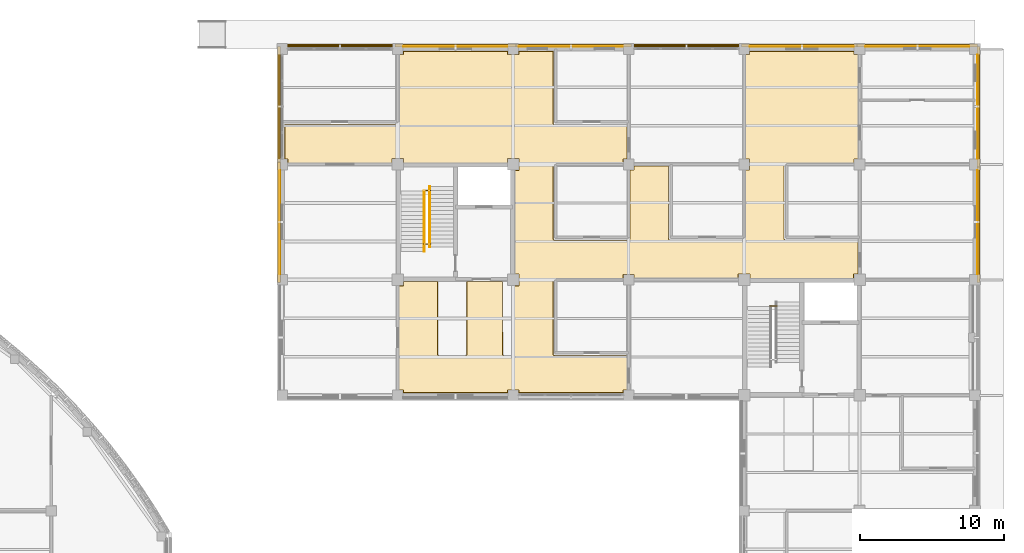
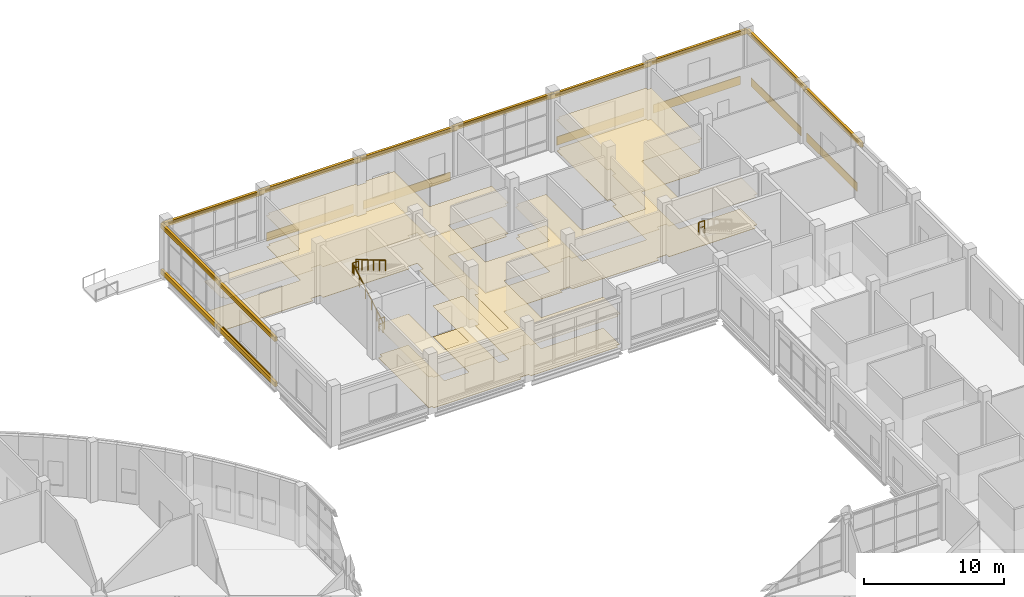
# One storey, part 105 of 105: 21 coverings, 10 shading devices, 5 railings.
"""IFC4 building model written with IfcOpenShell, lengths in metres."""

from ifc_helpers import new_model, si_unit, derived_unit, direction, frame, origin, origin_2d, place, context, subcontext, project, spatial, polyline, rectangle, circle, outline, extrude, material, layer, layer_set, material_profile, profile_set, type_object, element, save


model = new_model("IFC4")

# Units and contexts
model_context = context("Model", 3, precision=1e-05, world=origin(), true_north=direction((0.0, 1.0)))
body_context = subcontext(model_context, "Body", "Model", "MODEL_VIEW")
ifc_project = project(units=[si_unit("LENGTHUNIT", "METRE"), si_unit("AREAUNIT", "SQUARE_METRE"), si_unit("VOLUMEUNIT", "CUBIC_METRE"), si_unit("PLANEANGLEUNIT", "RADIAN"), si_unit("MASSUNIT", "GRAM", prefix="KILO"), derived_unit("THERMALTRANSMITTANCEUNIT", [(si_unit("MASSUNIT", "GRAM", prefix="KILO"), 1), (si_unit("TIMEUNIT", "SECOND"), -3), (si_unit("THERMODYNAMICTEMPERATUREUNIT", "KELVIN"), -1)])], contexts=[model_context])

# Site, building, storey
site_placement = place(None, origin())
site = spatial("IfcSite", under=ifc_project, at=site_placement, CompositionType="ELEMENT")
building_placement = place(site_placement, origin())
building = spatial("IfcBuilding", under=site, at=building_placement, Name="Veyamyaing Civic Hall", CompositionType="ELEMENT")
storey_placement = place(building_placement, origin())
storey = spatial("IfcBuildingStorey", under=building, at=storey_placement, Name="L00", CompositionType="ELEMENT", Elevation=0.0)

# Coverings
ifc_material_1 = material(Name="Buff sandstone ashlar cladding", Category="masonry")
ifc_layer_1 = layer(ifc_material_1, 0.050048828125, Name="Buff sandstone ashlar cladding")
ifc_layer_set_1 = layer_set([ifc_layer_1], Name="Buff sandstone ashlar cladding")
covering_type_1 = type_object("IfcCoveringType", Name="CL-01", PredefinedType="CLADDING", material=ifc_layer_set_1)
for number, where, z_axis, x_axis, name in (
    (1, (127.839111328125, 100.0, 0.044921875), (0.0, 0.0, 1.0), (0.0, 1.0, 0.0), "Facade spandrel cladding CL-01 L00 W 17.13"),
    (2, (140.0, 112.160888671875, 0.044921875), (0.0, 0.0, 1.0), (1.0, 0.0, 0.0), "Facade spandrel cladding CL-01 L00 N 18.14"),
    (3, (148.0, 112.160888671875, 0.044921875), (0.0, 0.0, 1.0), (1.0, 0.0, 0.0), "Facade spandrel cladding CL-01 L00 N 19.14"),
    (4, (164.0, 112.160888671875, 0.044921875), (0.0, 0.0, 1.0), (1.0, 0.0, 0.0), "Facade spandrel cladding CL-01 L00 N 21.14"),
    (5, (176.160888671875, 100.0, 0.044921875), (0.0, 0.0, 1.0), (0.0, 1.0, 0.0), "Facade spandrel cladding CL-01 L00 E 22.13"),
    (6, (172.0, 112.160888671875, 0.044921875), (0.0, 0.0, 1.0), (1.0, 0.0, 0.0), "Facade spandrel cladding CL-01 L00 N 22.14"),
    (7, (176.160888671875, 108.0, 0.044921875), (0.0, 0.0, 1.0), (0.0, 1.0, 0.0), "Facade spandrel cladding CL-01 L00 E 22.14"),
):
    element("IfcCovering", number, at=place(storey_placement, frame(where, z_axis=z_axis, x_axis=x_axis)), inside=storey, type_object=covering_type_1, Name=name, PredefinedType="CLADDING", context=body_context, shape_type="SweptSolid", body=[
        extrude(rectangle(XDim=7.199951171875, YDim=0.050048828125, at=origin_2d()), origin(), (0.0, 0.0, 1.0), 0.75),
    ])
ifc_material_2 = material(Name="White powder-coated aluminium 6063-T6", Category="aluminium")
ifc_layer_2 = layer(ifc_material_2, 0.2099609375, Name="White powder-coated aluminium 6063-T6")
ifc_layer_set_2 = layer_set([ifc_layer_2], Name="White powder-coated aluminium 6063-T6")
covering_type_2 = type_object("IfcCoveringType", Name="CL-03", PredefinedType="CLADDING", material=ifc_layer_set_2)
for number, where, z_axis, x_axis, name in (
    (8, (127.760009765625, 100.0, 4.22998046875), (0.0, 0.0, 1.0), (0.0, 1.0, 0.0), "Continuous white head fascia ribbon CL-03 L00 W 17.13"),
    (9, (127.760009765625, 100.0, 0.280029296875), (0.0, 0.0, 1.0), (0.0, 1.0, 0.0), "Continuous white sill fascia ribbon CL-03 L00 W 17.13"),
    (10, (132.0, 112.239990234375, 4.234130859375), (0.0, 0.0, 1.0), (1.0, 0.0, 0.0), "Continuous white head fascia ribbon CL-03 L00 N 17.14"),
    (11, (127.760009765625, 108.0, 4.2939453125), (0.0, 0.0, 1.0), (0.0, 1.0, 0.0), "Continuous white head fascia ribbon CL-03 L00 W 17.14"),
    (12, (127.760009765625, 108.0, 0.280029296875), (0.0, 0.0, 1.0), (0.0, 1.0, 0.0), "Continuous white sill fascia ribbon CL-03 L00 W 17.14"),
    (13, (140.0, 112.239990234375, 4.297119140625), (0.0, 0.0, 1.0), (1.0, 0.0, 0.0), "Continuous white head fascia ribbon CL-03 L00 N 18.14"),
    (14, (148.0, 112.239990234375, 4.22998046875), (0.0, 0.0, 1.0), (1.0, 0.0, 0.0), "Continuous white head fascia ribbon CL-03 L00 N 19.14"),
    (15, (156.0, 112.239990234375, 4.2939453125), (0.0, 0.0, 1.0), (1.0, 0.0, 0.0), "Continuous white head fascia ribbon CL-03 L00 N 20.14"),
    (16, (164.0, 112.239990234375, 4.234130859375), (0.0, 0.0, 1.0), (1.0, 0.0, 0.0), "Continuous white head fascia ribbon CL-03 L00 N 21.14"),
    (17, (176.239990234375, 100.0, 4.234130859375), (0.0, 0.0, 1.0), (0.0, 1.0, 0.0), "Continuous white head fascia ribbon CL-03 L00 E 22.13"),
    (18, (172.0, 112.239990234375, 4.297119140625), (0.0, 0.0, 1.0), (1.0, 0.0, 0.0), "Continuous white head fascia ribbon CL-03 L00 N 22.14"),
    (19, (176.239990234375, 108.0, 4.297119140625), (0.0, 0.0, 1.0), (0.0, 1.0, 0.0), "Continuous white head fascia ribbon CL-03 L00 E 22.14"),
):
    element("IfcCovering", number, at=place(storey_placement, frame(where, z_axis=z_axis, x_axis=x_axis)), inside=storey, type_object=covering_type_2, Name=name, PredefinedType="CLADDING", context=body_context, shape_type="SweptSolid", body=[
        extrude(rectangle(XDim=8.360107421875, YDim=0.2099609375, at=origin_2d()), origin(), (0.0, 0.0, 1.0), 0.39990234375),
    ])
ifc_material_3 = material(Name="Perforated acoustic gypsum ceiling board")
ifc_layer_3 = layer(ifc_material_3, 0.02490234375, Name="Perforated acoustic gypsum ceiling board")
ifc_layer_set_3 = layer_set([ifc_layer_3], Name="Perforated acoustic gypsum ceiling board")
covering_type_3 = type_object("IfcCoveringType", Name="CLG-01", PredefinedType="CEILING", material=ifc_layer_set_3)
covering_1_placement = place(storey_placement, frame((0.0, 0.0, 2.699951171875)))
element("IfcCovering", 20, at=covering_1_placement, inside=storey, type_object=covering_type_3, Name="Acoustic suspended ceiling CLG-01 L00-C07", PredefinedType="CEILING", context=body_context, shape_type="SweptSolid", body=[
    extrude(outline(polyline([(138.7841796875, 90.81494140625), (138.802734375, 90.79248046875), (138.8291015625, 90.7783203125), (138.851806640625, 90.77490234375), (140.6982421875, 90.77490234375), (140.7216796875, 90.778564453125), (140.741455078125, 90.787841796875), (140.7578125, 90.802490234375), (140.768798828125, 90.82080078125), (140.77490234375, 90.8525390625), (140.77490234375, 95.925048828125), (143.27490234375, 95.925048828125), (143.27685546875, 90.8349609375), (143.283935546875, 90.8154296875), (143.302734375, 90.79248046875), (143.3291015625, 90.7783203125), (143.351806640625, 90.77490234375), (144.00732421875, 90.775390625), (144.02099609375, 90.7783203125), (144.04150390625, 90.787841796875), (144.057861328125, 90.802490234375), (144.068603515625, 90.82080078125), (144.074951171875, 90.8525390625), (144.074951171875, 95.614990234375), (144.385009765625, 95.614990234375), (144.385009765625, 96.385009765625), (144.074951171875, 96.385009765625), (144.074951171875, 103.614990234375), (144.385009765625, 103.614990234375), (144.385009765625, 104.385009765625), (143.614990234375, 104.385009765625), (143.614990234375, 104.074951171875), (136.385009765625, 104.074951171875), (136.385009765625, 104.385009765625), (135.614990234375, 104.385009765625), (135.614990234375, 104.074951171875), (128.360107421875, 104.074951171875), (128.360107421875, 104.360107421875), (128.155029296875, 104.360107421875), (128.155029296875, 106.77490234375), (135.998291015625, 106.77490234375), (136.021728515625, 106.778564453125), (136.04150390625, 106.787841796875), (136.05810546875, 106.802978515625), (136.065673828125, 106.814208984375), (136.073486328125, 106.8359375), (136.074951171875, 106.851318359375), (136.074951171875, 111.639892578125), (136.360107421875, 111.639892578125), (136.360107421875, 111.844970703125), (143.639892578125, 111.844970703125), (143.639892578125, 111.639892578125), (144.360107421875, 111.639892578125), (144.360107421875, 111.844970703125), (146.77490234375, 111.844970703125), (146.77490234375, 106.8525390625), (146.78125, 106.821533203125), (146.79736328125, 106.79736328125), (146.821533203125, 106.78125), (146.8525390625, 106.77490234375), (151.925048828125, 106.77490234375), (151.925048828125, 104.360107421875), (151.639892578125, 104.360107421875), (151.639892578125, 104.074951171875), (146.851806640625, 104.074951171875), (146.82763671875, 104.0712890625), (146.814697265625, 104.06591796875), (146.802978515625, 104.05810546875), (146.787841796875, 104.04150390625), (146.778564453125, 104.021728515625), (146.77490234375, 103.998291015625), (146.77490234375, 98.8525390625), (146.78125, 98.821533203125), (146.79736328125, 98.79736328125), (146.821533203125, 98.78125), (146.8525390625, 98.77490234375), (151.998291015625, 98.77490234375), (152.021728515625, 98.778564453125), (152.04150390625, 98.787841796875), (152.05810546875, 98.802978515625), (152.065673828125, 98.814208984375), (152.073486328125, 98.8359375), (152.074951171875, 98.851318359375), (152.074951171875, 103.639892578125), (152.360107421875, 103.639892578125), (152.360107421875, 103.925048828125), (154.77490234375, 103.925048828125), (154.77490234375, 98.8525390625), (154.78125, 98.821533203125), (154.79736328125, 98.79736328125), (154.821533203125, 98.78125), (154.8525390625, 98.77490234375), (160.006103515625, 98.775390625), (160.03515625, 98.7841796875), (160.0576171875, 98.802734375), (160.071533203125, 98.8291015625), (160.074951171875, 98.851806640625), (160.074951171875, 103.639892578125), (160.360107421875, 103.639892578125), (160.360107421875, 104.360107421875), (160.074951171875, 104.360107421875), (160.074951171875, 111.639892578125), (160.360107421875, 111.639892578125), (160.360107421875, 111.844970703125), (167.639892578125, 111.844970703125), (167.639892578125, 111.639892578125), (167.925048828125, 111.639892578125), (167.925048828125, 104.360107421875), (167.639892578125, 104.360107421875), (167.639892578125, 104.074951171875), (162.8525390625, 104.074951171875), (162.821533203125, 104.06884765625), (162.79736328125, 104.052734375), (162.78125, 104.028564453125), (162.77490234375, 103.99755859375), (162.77490234375, 98.851806640625), (162.778564453125, 98.828369140625), (162.787841796875, 98.80859375), (162.802978515625, 98.791748046875), (162.814697265625, 98.783935546875), (162.82763671875, 98.778564453125), (162.851806640625, 98.77490234375), (167.925048828125, 98.77490234375), (167.925048828125, 96.385009765625), (167.614990234375, 96.385009765625), (167.614990234375, 96.074951171875), (160.385009765625, 96.074951171875), (160.385009765625, 96.385009765625), (159.614990234375, 96.385009765625), (159.614990234375, 96.074951171875), (152.360107421875, 96.074951171875), (152.360107421875, 96.360107421875), (151.639892578125, 96.360107421875), (151.639892578125, 96.074951171875), (146.851806640625, 96.074951171875), (146.828369140625, 96.071533203125), (146.80859375, 96.06201171875), (146.791748046875, 96.047119140625), (146.7841796875, 96.035888671875), (146.776611328125, 96.013916015625), (146.77490234375, 95.998779296875), (146.77490234375, 90.851806640625), (146.778564453125, 90.828369140625), (146.787841796875, 90.80859375), (146.802978515625, 90.791748046875), (146.814697265625, 90.783935546875), (146.82763671875, 90.778564453125), (146.851806640625, 90.77490234375), (151.925048828125, 90.77490234375), (151.925048828125, 88.360107421875), (151.639892578125, 88.360107421875), (151.639892578125, 88.155029296875), (144.360107421875, 88.155029296875), (144.360107421875, 88.360107421875), (143.639892578125, 88.360107421875), (143.639892578125, 88.155029296875), (136.360107421875, 88.155029296875), (136.360107421875, 88.360107421875), (136.074951171875, 88.360107421875), (136.074951171875, 95.614990234375), (136.385009765625, 95.614990234375), (136.385009765625, 95.925048828125), (138.77490234375, 95.925048828125), (138.775390625, 90.843994140625), (138.7841796875, 90.81494140625)])), origin(), (0.0, 0.0, 1.0), 0.025146484375),
])
ifc_material_4 = material(Name="Polished Mandalay marble and terrazzo flooring", Category="masonry")
ifc_layer_4 = layer(ifc_material_4, 0.030029296875, Name="Polished Mandalay marble and terrazzo flooring")
ifc_layer_set_4 = layer_set([ifc_layer_4], Name="Polished Mandalay marble and terrazzo flooring")
covering_type_4 = type_object("IfcCoveringType", Name="FLR-01", PredefinedType="FLOORING", material=ifc_layer_set_4)
covering_2_placement = place(storey_placement, origin())
element("IfcCovering", 21, at=covering_2_placement, inside=storey, type_object=covering_type_4, Name="Stone and terrazzo flooring FLR-01 L00-C07", PredefinedType="FLOORING", context=body_context, shape_type="SweptSolid", body=[
    extrude(outline(polyline([(138.76171875, 90.802978515625), (138.78662109375, 90.772705078125), (138.821044921875, 90.75439453125), (138.85009765625, 90.75), (140.699951171875, 90.75), (140.72900390625, 90.75439453125), (140.755615234375, 90.766845703125), (140.77734375, 90.78662109375), (140.79248046875, 90.811767578125), (140.800048828125, 90.85009765625), (140.800048828125, 95.89990234375), (143.25, 95.89990234375), (143.251953125, 90.83056640625), (143.26171875, 90.802978515625), (143.28662109375, 90.772705078125), (143.321044921875, 90.75439453125), (143.35009765625, 90.75), (144.009765625, 90.75048828125), (144.029052734375, 90.75439453125), (144.0556640625, 90.766845703125), (144.077392578125, 90.78662109375), (144.09228515625, 90.811767578125), (144.10009765625, 90.85009765625), (144.10009765625, 95.590087890625), (144.409912109375, 95.590087890625), (144.409912109375, 96.409912109375), (144.10009765625, 96.409912109375), (144.10009765625, 103.590087890625), (144.409912109375, 103.590087890625), (144.409912109375, 104.409912109375), (143.590087890625, 104.409912109375), (143.590087890625, 104.10009765625), (136.409912109375, 104.10009765625), (136.409912109375, 104.409912109375), (135.590087890625, 104.409912109375), (135.590087890625, 104.10009765625), (128.385009765625, 104.10009765625), (128.385009765625, 104.385009765625), (128.179931640625, 104.385009765625), (128.179931640625, 106.75), (136.0, 106.75), (136.029052734375, 106.75439453125), (136.0556640625, 106.766845703125), (136.077392578125, 106.78662109375), (136.088134765625, 106.802978515625), (136.09814453125, 106.83056640625), (136.10009765625, 106.85009765625), (136.10009765625, 111.614990234375), (136.385009765625, 111.614990234375), (136.385009765625, 111.820068359375), (143.614990234375, 111.820068359375), (143.614990234375, 111.614990234375), (144.385009765625, 111.614990234375), (144.385009765625, 111.820068359375), (146.75, 111.820068359375), (146.75, 106.85009765625), (146.757568359375, 106.811767578125), (146.779296875, 106.779296875), (146.811767578125, 106.757568359375), (146.85009765625, 106.75), (151.89990234375, 106.75), (151.89990234375, 104.385009765625), (151.614990234375, 104.385009765625), (151.614990234375, 104.10009765625), (146.85009765625, 104.10009765625), (146.821044921875, 104.095703125), (146.802978515625, 104.088134765625), (146.78662109375, 104.077392578125), (146.766845703125, 104.0556640625), (146.75439453125, 104.029052734375), (146.75, 104.0), (146.75, 98.85009765625), (146.757568359375, 98.811767578125), (146.779296875, 98.779296875), (146.811767578125, 98.757568359375), (146.85009765625, 98.75), (152.0, 98.75), (152.029052734375, 98.75439453125), (152.0556640625, 98.766845703125), (152.077392578125, 98.78662109375), (152.088134765625, 98.802978515625), (152.09814453125, 98.83056640625), (152.10009765625, 98.85009765625), (152.10009765625, 103.614990234375), (152.385009765625, 103.614990234375), (152.385009765625, 103.89990234375), (154.75, 103.89990234375), (154.75, 98.85009765625), (154.757568359375, 98.811767578125), (154.779296875, 98.779296875), (154.811767578125, 98.757568359375), (154.85009765625, 98.75), (160.009765625, 98.75048828125), (160.047119140625, 98.76171875), (160.077392578125, 98.78662109375), (160.095703125, 98.821044921875), (160.10009765625, 98.85009765625), (160.10009765625, 103.614990234375), (160.385009765625, 103.614990234375), (160.385009765625, 104.385009765625), (160.10009765625, 104.385009765625), (160.10009765625, 111.614990234375), (160.385009765625, 111.614990234375), (160.385009765625, 111.820068359375), (167.614990234375, 111.820068359375), (167.614990234375, 111.614990234375), (167.89990234375, 111.614990234375), (167.89990234375, 104.385009765625), (167.614990234375, 104.385009765625), (167.614990234375, 104.10009765625), (162.85009765625, 104.10009765625), (162.811767578125, 104.09228515625), (162.779296875, 104.07080078125), (162.757568359375, 104.038330078125), (162.75, 104.0), (162.75, 98.85009765625), (162.75439453125, 98.821044921875), (162.766845703125, 98.79443359375), (162.78662109375, 98.772705078125), (162.802978515625, 98.76171875), (162.821044921875, 98.75439453125), (162.85009765625, 98.75), (167.89990234375, 98.75), (167.89990234375, 96.409912109375), (167.590087890625, 96.409912109375), (167.590087890625, 96.10009765625), (160.409912109375, 96.10009765625), (160.409912109375, 96.409912109375), (159.590087890625, 96.409912109375), (159.590087890625, 96.10009765625), (152.385009765625, 96.10009765625), (152.385009765625, 96.385009765625), (151.614990234375, 96.385009765625), (151.614990234375, 96.10009765625), (146.85009765625, 96.10009765625), (146.821044921875, 96.095703125), (146.79443359375, 96.0830078125), (146.772705078125, 96.0634765625), (146.76171875, 96.047119140625), (146.751953125, 96.01953125), (146.75, 96.0), (146.75, 90.85009765625), (146.75439453125, 90.821044921875), (146.766845703125, 90.79443359375), (146.78662109375, 90.772705078125), (146.802978515625, 90.76171875), (146.821044921875, 90.75439453125), (146.85009765625, 90.75), (151.89990234375, 90.75), (151.89990234375, 88.385009765625), (151.614990234375, 88.385009765625), (151.614990234375, 88.179931640625), (144.385009765625, 88.179931640625), (144.385009765625, 88.385009765625), (143.614990234375, 88.385009765625), (143.614990234375, 88.179931640625), (136.385009765625, 88.179931640625), (136.385009765625, 88.385009765625), (136.10009765625, 88.385009765625), (136.10009765625, 95.590087890625), (136.409912109375, 95.590087890625), (136.409912109375, 95.89990234375), (138.75, 95.89990234375), (138.75048828125, 90.840087890625), (138.76171875, 90.802978515625)])), origin(), (0.0, 0.0, 1.0), 0.030029296875),
])

# Railings
ifc_material_5 = material(Name="Steel S355J2", Category="steel")
railing_type_1 = type_object("IfcRailingType", Name="RL-01", PredefinedType="BALUSTRADE", material=ifc_material_5)
for number, where, name in (
    (22, (161.780029296875, 94.18994140625, 2.639892578125), "Half-landing slot guard RL-01 ST-03 L00"),
    (23, (137.780029296875, 102.18994140625, 2.639892578125), "Half-landing slot guard RL-01 ST-04 L00"),
):
    element("IfcRailing", number, at=place(storey_placement, frame(where)), inside=storey, type_object=railing_type_1, Name=name, PredefinedType="BALUSTRADE", context=body_context, shape_type="SweptSolid", body=[
        extrude(circle(Radius=0.02392578125, at=origin_2d()), frame((0.0, 0.0, 1.076171875), z_axis=(1.0, 0.0, 0.0), x_axis=(0.0, 1.0, 0.0)), (0.0, 0.0, 1.0), 0.489990234375),
        extrude(circle(Radius=0.01416015625, at=origin_2d()), frame((0.0, 0.0, 0.572021484375), z_axis=(1.0, 0.0, 0.0), x_axis=(0.0, 1.0, 0.0)), (0.0, 0.0, 1.0), 0.489990234375),
        extrude(circle(Radius=0.02099609375, at=origin_2d()), origin(), (0.0, 0.0, 1.0), 1.052001953125),
        extrude(circle(Radius=0.02099609375, at=origin_2d()), frame((0.489990234375, 0.0, 0.0)), (0.0, 0.0, 1.0), 1.052001953125),
    ])
railing_1_placement = place(storey_placement, frame((137.800048828125, 98.47998046875, 0.0)))
element("IfcRailing", 24, at=railing_1_placement, inside=storey, type_object=railing_type_1, Name="Floor-landing slot guard RL-01 ST-04 L00", PredefinedType="BALUSTRADE", context=body_context, shape_type="SweptSolid", body=[
    extrude(circle(Radius=0.02392578125, at=origin_2d()), frame((0.0, 0.0, 1.076171875), z_axis=(1.0, 0.0, 0.0), x_axis=(0.0, 1.0, 0.0)), (0.0, 0.0, 1.0), 0.469970703125),
    extrude(circle(Radius=0.01416015625, at=origin_2d()), frame((0.0, 0.0, 0.572021484375), z_axis=(1.0, 0.0, 0.0), x_axis=(0.0, 1.0, 0.0)), (0.0, 0.0, 1.0), 0.469970703125),
    extrude(circle(Radius=0.02099609375, at=origin_2d()), origin(), (0.0, 0.0, 1.0), 1.052001953125),
    extrude(circle(Radius=0.02099609375, at=origin_2d()), frame((0.469970703125, 0.0, 0.0)), (0.0, 0.0, 1.0), 1.052001953125),
])
railing_type_2 = type_object("IfcRailingType", Name="RL-02", PredefinedType="HANDRAIL", material=ifc_material_5)
railing_2_placement = place(storey_placement, frame((137.840087890625, 97.949951171875, 0.1650390625)))
element("IfcRailing", 25, at=railing_2_placement, inside=storey, type_object=railing_type_2, Name="Stair pitch handrail RL-02 ST-04 L00.1", PredefinedType="HANDRAIL", context=body_context, shape_type="SweptSolid", body=[
    extrude(circle(Radius=0.02392578125, at=origin_2d()), frame((0.0, 0.0, 0.89599609375), z_axis=(0.0, 0.861549022881, 0.507674384988), x_axis=(-1.0, 0.0, 0.0)), (0.0, 0.0, 1.0), 4.875),
    extrude(circle(Radius=0.02099609375, at=origin_2d()), origin(), (0.0, 0.0, 1.0), 0.871826171875),
    extrude(circle(Radius=0.02099609375, at=origin_2d()), frame((0.0, 0.840087890625, 0.494873046875)), (0.0, 0.0, 1.0), 0.871826171875),
    extrude(circle(Radius=0.02099609375, at=origin_2d()), frame((0.0, 1.679931640625, 0.989990234375)), (0.0, 0.0, 1.0), 0.871826171875),
    extrude(circle(Radius=0.02099609375, at=origin_2d()), frame((0.0, 2.52001953125, 1.48486328125)), (0.0, 0.0, 1.0), 0.871826171875),
    extrude(circle(Radius=0.02099609375, at=origin_2d()), frame((0.0, 3.35986328125, 1.97998046875)), (0.0, 0.0, 1.0), 0.871826171875),
    extrude(circle(Radius=0.02099609375, at=origin_2d()), frame((0.0, 4.199951171875, 2.474853515625)), (0.0, 0.0, 1.0), 0.871826171875),
])
railing_3_placement = place(storey_placement, frame((138.219970703125, 102.469970703125, 2.804931640625)))
element("IfcRailing", 26, at=railing_3_placement, inside=storey, type_object=railing_type_2, Name="Stair pitch handrail RL-02 ST-04 L00.2", PredefinedType="HANDRAIL", context=body_context, shape_type="SweptSolid", body=[
    extrude(circle(Radius=0.02392578125, at=origin_2d()), frame((0.0, 0.0, 0.89599609375), z_axis=(0.0, -0.861527117747, 0.50771155727), x_axis=(1.0, 0.0, 0.0)), (0.0, 0.0, 1.0), 4.875),
    extrude(circle(Radius=0.02099609375, at=origin_2d()), origin(), (0.0, 0.0, 1.0), 0.871826171875),
    extrude(circle(Radius=0.02099609375, at=origin_2d()), frame((0.0, -0.840087890625, 0.4951171875)), (0.0, 0.0, 1.0), 0.871826171875),
    extrude(circle(Radius=0.02099609375, at=origin_2d()), frame((0.0, -1.679931640625, 0.989990234375)), (0.0, 0.0, 1.0), 0.871826171875),
    extrude(circle(Radius=0.02099609375, at=origin_2d()), frame((0.0, -2.52001953125, 1.485107421875)), (0.0, 0.0, 1.0), 0.871826171875),
    extrude(circle(Radius=0.02099609375, at=origin_2d()), frame((0.0, -3.35986328125, 1.97998046875)), (0.0, 0.0, 1.0), 0.871826171875),
    extrude(circle(Radius=0.02099609375, at=origin_2d()), frame((0.0, -4.199951171875, 2.47509765625)), (0.0, 0.0, 1.0), 0.871826171875),
])

# Shading devices
ifc_material_profile = material_profile(ifc_material_2, circle(Radius=0.090087890625, at=origin_2d()), Name="SHADE-TUBE-180")
ifc_profile_set = profile_set([ifc_material_profile], Name="White powder-coated aluminium 6063-T6")
shading_device_type = type_object("IfcShadingDeviceType", Name="SH-02", PredefinedType="USERDEFINED", material=ifc_profile_set)
for number, where, z_axis, x_axis, name in (
    (27, (127.760009765625, 96.360107421875, 4.389892578125), (0.0, 1.0, 0.0), (-1.0, 0.0, 0.0), "Horizontal white sunshade ribbon SH-02 L00 W 17.13"),
    (28, (128.360107421875, 112.239990234375, 4.39404296875), (1.0, 0.0, 0.0), (0.0, 1.0, 0.0), "Horizontal white sunshade ribbon SH-02 L00 N 17.14"),
    (29, (127.760009765625, 104.360107421875, 4.4541015625), (0.0, 1.0, 0.0), (-1.0, 0.0, 0.0), "Horizontal white sunshade ribbon SH-02 L00 W 17.14"),
    (30, (136.360107421875, 112.239990234375, 4.45703125), (1.0, 0.0, 0.0), (0.0, 1.0, 0.0), "Horizontal white sunshade ribbon SH-02 L00 N 18.14"),
    (31, (144.360107421875, 112.239990234375, 4.389892578125), (1.0, 0.0, 0.0), (0.0, 1.0, 0.0), "Horizontal white sunshade ribbon SH-02 L00 N 19.14"),
    (32, (152.360107421875, 112.239990234375, 4.4541015625), (1.0, 0.0, 0.0), (0.0, 1.0, 0.0), "Horizontal white sunshade ribbon SH-02 L00 N 20.14"),
    (33, (160.360107421875, 112.239990234375, 4.39404296875), (1.0, 0.0, 0.0), (0.0, 1.0, 0.0), "Horizontal white sunshade ribbon SH-02 L00 N 21.14"),
    (34, (176.239990234375, 96.360107421875, 4.39404296875), (0.0, 1.0, 0.0), (-1.0, 0.0, 0.0), "Horizontal white sunshade ribbon SH-02 L00 E 22.13"),
    (35, (168.360107421875, 112.239990234375, 4.45703125), (1.0, 0.0, 0.0), (0.0, 1.0, 0.0), "Horizontal white sunshade ribbon SH-02 L00 N 22.14"),
    (36, (176.239990234375, 104.360107421875, 4.45703125), (0.0, 1.0, 0.0), (-1.0, 0.0, 0.0), "Horizontal white sunshade ribbon SH-02 L00 E 22.14"),
):
    element("IfcShadingDevice", number, at=place(storey_placement, frame(where, z_axis=z_axis, x_axis=x_axis)), inside=storey, type_object=shading_device_type, Name=name, ObjectType="SUNSHADE", PredefinedType="USERDEFINED", context=body_context, shape_type="SweptSolid", body=[
        extrude(circle(Radius=0.090087890625, at=origin_2d()), origin(), (0.0, 0.0, 1.0), 7.27978515625),
    ])

save(model, "model.ifc")
